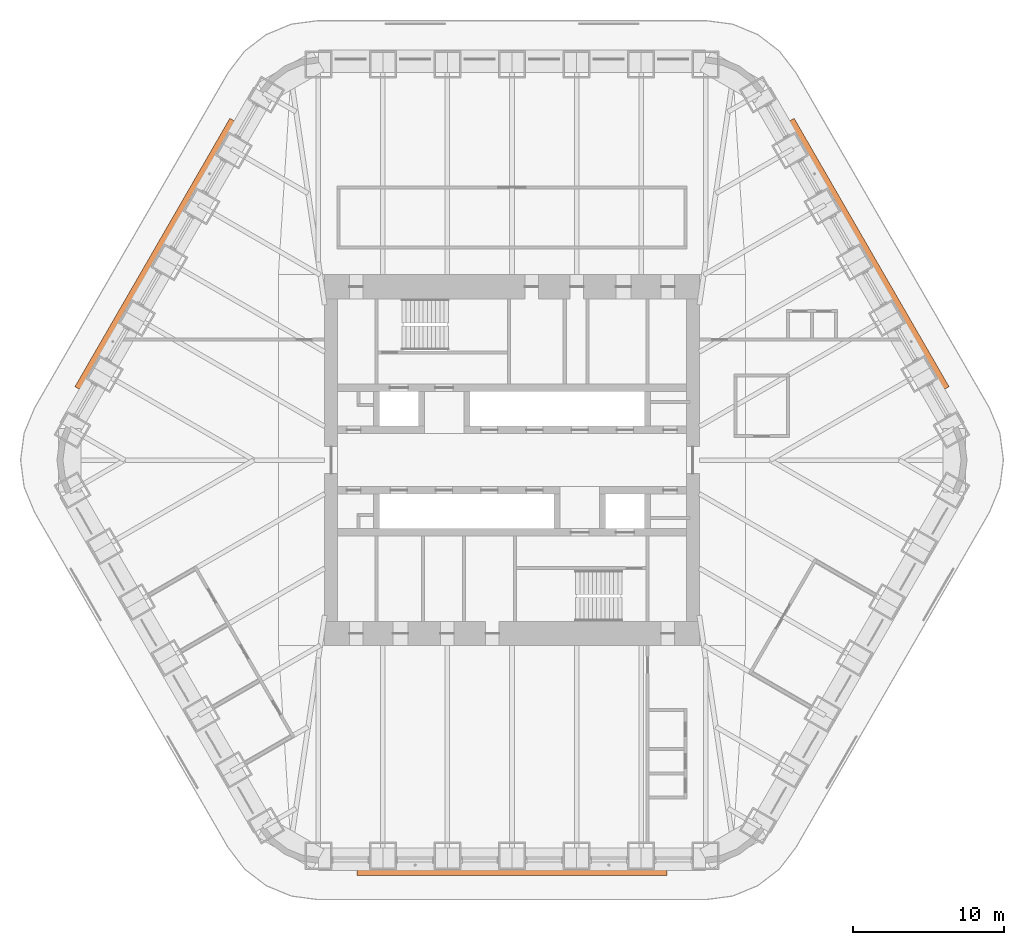
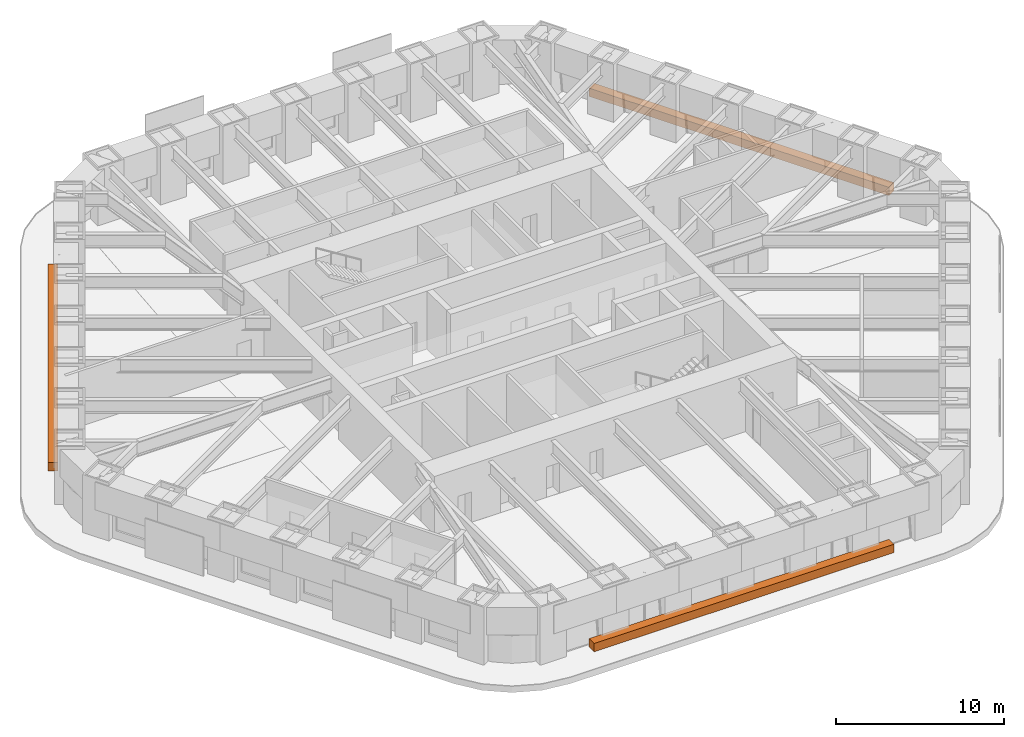
# One storey, part 18 of 18: 3 proxies.
"""IFC4 building model written with IfcOpenShell, lengths in metres."""

from ifc_helpers import new_model, si_unit, direction, frame, origin, origin_2d, place, context, subcontext, project, spatial, rectangle, extrude, material, element, save


model = new_model("IFC4")

# Units and contexts
model_context = context("Model", 3, precision=1e-05, world=origin(), true_north=direction((0.0, 1.0)))
body_context = subcontext(model_context, "Body", "Model", "MODEL_VIEW")
ifc_project = project(units=[si_unit("LENGTHUNIT", "METRE"), si_unit("AREAUNIT", "SQUARE_METRE"), si_unit("VOLUMEUNIT", "CUBIC_METRE"), si_unit("PLANEANGLEUNIT", "RADIAN"), si_unit("MASSUNIT", "GRAM", prefix="KILO")], contexts=[model_context])

# Site, building, storey
site_placement = place(None, origin())
site = spatial("IfcSite", under=ifc_project, at=site_placement, CompositionType="ELEMENT")
building_placement = place(site_placement, origin())
building = spatial("IfcBuilding", under=site, at=building_placement, Name="Tarfa Lantern Tower", CompositionType="ELEMENT")
storey_placement = place(building_placement, frame((0.0, 0.0, 311.5)))
storey = spatial("IfcBuildingStorey", under=building, at=storey_placement, Name="L70", CompositionType="ELEMENT", Elevation=311.5)

# Proxies
ifc_material = material(Name="Planting bed")
for number, where, z_axis, x_axis, name in (
    (1, (23.59912109375, 13.625, 0.0), (0.0, 0.0, 1.0), (-0.5, 0.866025403784, 0.0), "Ledge planter"),
    (2, (-23.59912109375, 13.625, 0.0), (0.0, 0.0, 1.0), (-0.5, -0.866025403784, 0.0), "Ledge planter"),
    (3, (0.0, -27.25, 0.0), (0.0, 0.0, 1.0), (1.0, 0.0, 0.0), "Ledge planter"),
):
    element("IfcBuildingElementProxy", number, at=place(storey_placement, frame(where, z_axis=z_axis, x_axis=x_axis)), inside=storey, material=ifc_material, Name=name, ObjectType="PLANTER", PredefinedType="USERDEFINED", context=body_context, shape_type="SweptSolid", body=[
        extrude(rectangle(XDim=20.5537109375, YDim=0.60009765625, at=origin_2d()), origin(), (0.0, 0.0, 1.0), 0.60009765625),
    ])

save(model, "model.ifc")
